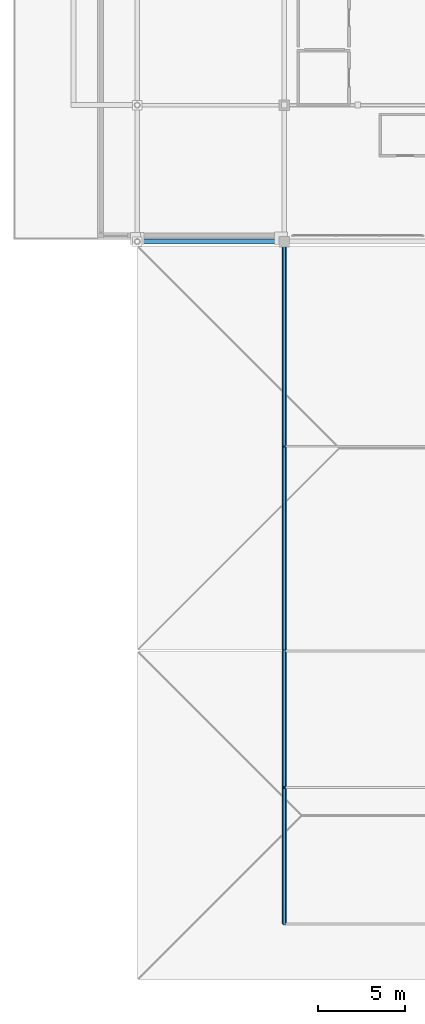
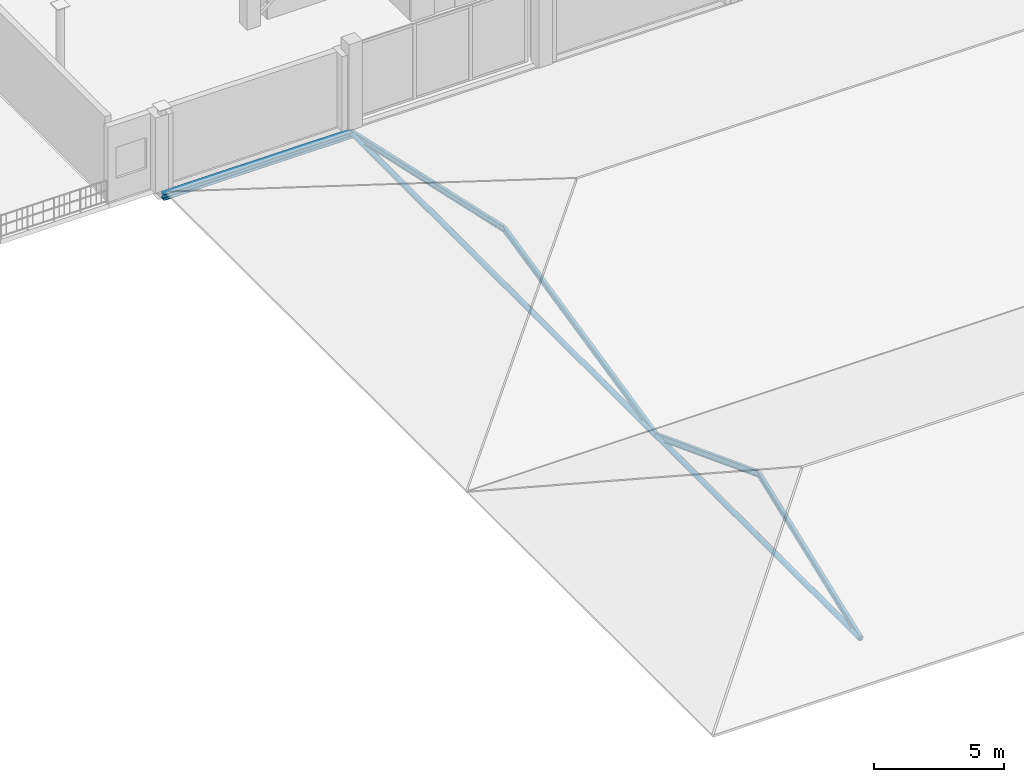
# One storey, part 6 of 25: 6 members, 1 beam.
"""IFC4 building model written with IfcOpenShell, lengths in metres."""

from ifc_helpers import new_model, si_unit, direction, frame, origin, origin_2d, place, context, subcontext, project, spatial, hollow_circle, i_section, extrude, material, material_profile, profile_set, type_object, element, save


model = new_model("IFC4")

# Units and contexts
model_context = context("Model", 3, precision=1e-05, world=origin(), true_north=direction((0.0, 1.0)))
body_context = subcontext(model_context, "Body", "Model", "MODEL_VIEW")
ifc_project = project(units=[si_unit("LENGTHUNIT", "METRE"), si_unit("AREAUNIT", "SQUARE_METRE"), si_unit("VOLUMEUNIT", "CUBIC_METRE"), si_unit("PLANEANGLEUNIT", "RADIAN"), si_unit("MASSUNIT", "GRAM", prefix="KILO")], contexts=[model_context])

# Site, building, storey
site_placement = place(None, origin())
site = spatial("IfcSite", under=ifc_project, at=site_placement, CompositionType="ELEMENT")
building_placement = place(site_placement, origin())
building = spatial("IfcBuilding", under=site, at=building_placement, Name="Nabrawat Pavilion Hospital", CompositionType="ELEMENT")
storey_placement = place(building_placement, frame((0.0, 0.0, 22.949951171875)))
storey = spatial("IfcBuildingStorey", under=building, at=storey_placement, Name="L05", CompositionType="ELEMENT", Elevation=22.949951171875)

# Members
ifc_material = material(Name="Steel S355", Category="steel")
ifc_material_profile_1 = material_profile(ifc_material, i_section(OverallWidth=0.135009765625, OverallDepth=0.27001953125, WebThickness=0.006591796875, FlangeThickness=0.01025390625, FilletRadius=0.014892578125, at=origin_2d()), Name="IPE 270")
ifc_profile_set_1 = profile_set([ifc_material_profile_1], Name="Steel S355")
member_type_1 = type_object("IfcMemberType", Name="Outpatient Hipped Roof Rafter IPE 270", PredefinedType="RAFTER", material=ifc_profile_set_1)
for number, where, z_axis, x_axis, name in (
    (1, (151.199951171875, 0.0, -0.349853515625), (0.0, 0.934459004687, 0.35607073533), (-1.0, 0.0, 0.0), "Outpatient South Pavilion South Hipped Rafter 01"),
    (2, (151.199951171875, 15.60009765625, -0.349853515625), (0.0, -0.934459004687, 0.35607073533), (1.0, 0.0, 0.0), "Outpatient South Pavilion North Hipped Rafter 01"),
):
    element("IfcMember", number, at=place(storey_placement, frame(where, z_axis=z_axis, x_axis=x_axis)), inside=storey, type_object=member_type_1, Name=name, PredefinedType="RAFTER", context=body_context, shape_type="SweptSolid", body=[
        extrude(i_section(OverallWidth=0.135009765625, OverallDepth=0.27001953125, WebThickness=0.006591796875, FlangeThickness=0.01025390625, FilletRadius=0.014892578125, at=origin_2d()), origin(), (0.0, 0.0, 1.0), 8.34716796875),
    ])
for number, where, z_axis, x_axis, name in (
    (3, (151.199951171875, 15.60009765625, -0.349853515625), (0.0, 0.976133352556, 0.217172001021), (-1.0, 0.0, 0.0), "Outpatient North Pavilion South Hipped Rafter 01"),
    (4, (151.199951171875, 39.0, -0.349853515625), (0.0, -0.976133352556, 0.217172001021), (1.0, 0.0, 0.0), "Outpatient North Pavilion North Hipped Rafter 01"),
):
    element("IfcMember", number, at=place(storey_placement, frame(where, z_axis=z_axis, x_axis=x_axis)), inside=storey, type_object=member_type_1, Name=name, PredefinedType="RAFTER", context=body_context, shape_type="SweptSolid", body=[
        extrude(i_section(OverallWidth=0.135009765625, OverallDepth=0.27001953125, WebThickness=0.006591796875, FlangeThickness=0.01025390625, FilletRadius=0.014892578125, at=origin_2d()), origin(), (0.0, 0.0, 1.0), 11.986083984375),
    ])
ifc_material_profile_2 = material_profile(ifc_material, hollow_circle(Radius=0.122314453125, WallThickness=0.012451171875, at=origin_2d()), Name="CHS 244.5x12.5")
ifc_profile_set_2 = profile_set([ifc_material_profile_2], Name="Steel S355")
member_type_2 = type_object("IfcMemberType", Name="Space Frame Transverse Chord CHS 244.5x12.5", PredefinedType="CHORD", material=ifc_profile_set_2)
member_1_placement = place(storey_placement, frame((151.199951171875, 0.0, -0.349853515625), z_axis=(0.0, 1.0, 0.0), x_axis=(-1.0, 0.0, 0.0)))
element("IfcMember", 5, at=member_1_placement, inside=storey, type_object=member_type_2, Name="Outpatient South Pavilion Truss Bottom Tie Chord 01", PredefinedType="CHORD", context=body_context, shape_type="SweptSolid", body=[
    extrude(hollow_circle(Radius=0.122314453125, WallThickness=0.012451171875, at=origin_2d()), origin(), (0.0, 0.0, 1.0), 15.60009765625),
])
member_2_placement = place(storey_placement, frame((151.199951171875, 15.60009765625, -0.349853515625), z_axis=(0.0, 1.0, 0.0), x_axis=(-1.0, 0.0, 0.0)))
element("IfcMember", 6, at=member_2_placement, inside=storey, type_object=member_type_2, Name="Outpatient North Pavilion Truss Bottom Tie Chord 01", PredefinedType="CHORD", context=body_context, shape_type="SweptSolid", body=[
    extrude(hollow_circle(Radius=0.122314453125, WallThickness=0.012451171875, at=origin_2d()), origin(), (0.0, 0.0, 1.0), 23.39990234375),
])

# Beam
ifc_material_profile_3 = material_profile(ifc_material, i_section(OverallWidth=0.280029296875, OverallDepth=0.280029296875, WebThickness=0.010498046875, FlangeThickness=0.01806640625, FilletRadius=0.02392578125, at=origin_2d()), Name="HEB 280")
ifc_profile_set_3 = profile_set([ifc_material_profile_3], Name="Steel S355")
beam_type = type_object("IfcBeamType", Name="Upper Terrace Edge Spandrel HEB 280", PredefinedType="SPANDREL", material=ifc_profile_set_3)
beam_placement = place(storey_placement, frame((142.820068359375, 39.0, -0.369873046875), z_axis=(1.0, 0.0, 0.0), x_axis=(0.0, 1.0, 0.0)))
element("IfcBeam", 7, at=beam_placement, inside=storey, type_object=beam_type, Name="L05 Primary X Girder 1985", PredefinedType="SPANDREL", context=body_context, shape_type="SweptSolid", body=[
    extrude(i_section(OverallWidth=0.280029296875, OverallDepth=0.280029296875, WebThickness=0.010498046875, FlangeThickness=0.01806640625, FilletRadius=0.02392578125, at=origin_2d()), origin(), (0.0, 0.0, 1.0), 8.35986328125),
])

save(model, "model.ifc")
